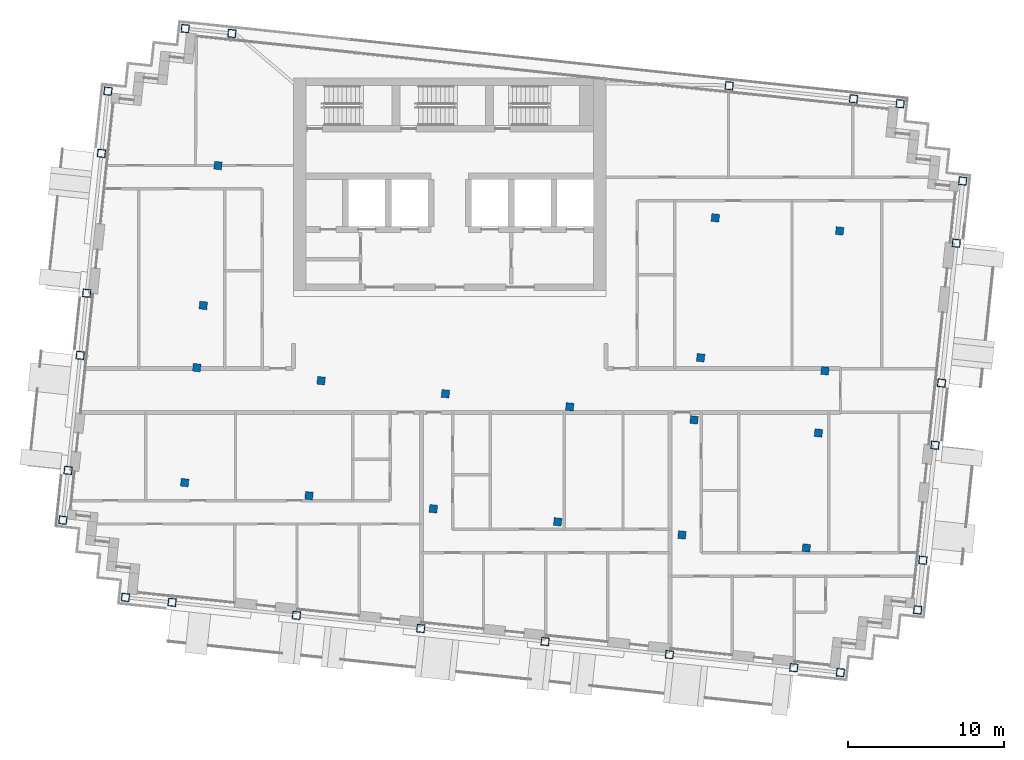
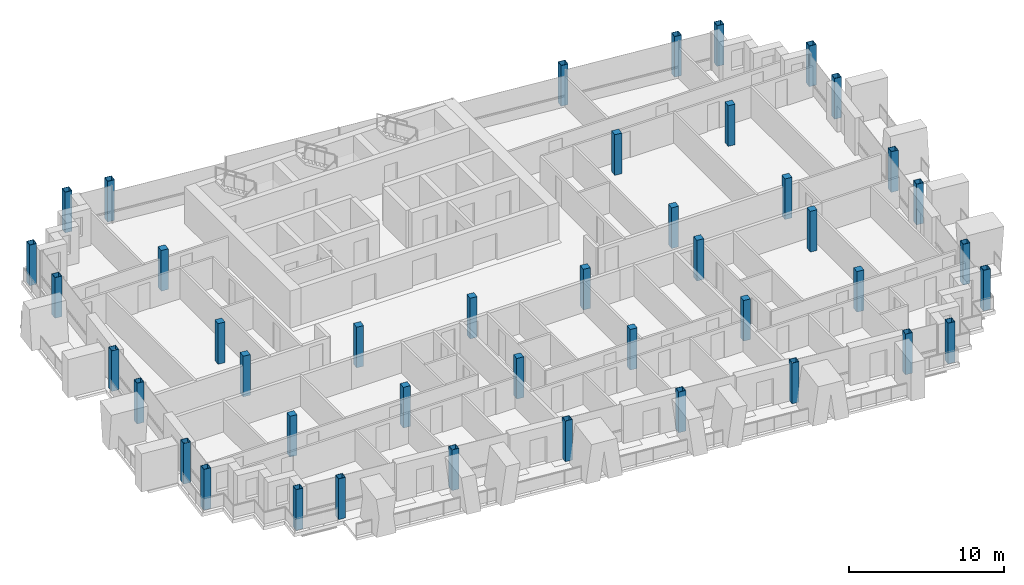
# One storey, part 1 of 17: 43 columns.
"""IFC4 building model written with IfcOpenShell, lengths in metres."""

import ifcopenshell
import ifcopenshell.guid

model = None  # the IFC model being written
_history = None  # IfcOwnerHistory: only IFC2X3 demands one
_inside = {}  # id of a spatial element -> (the spatial element, [elements in it])
_under = {}  # id of a project, library or spatial element -> (it, [spatial elements below it])
_declared = {}  # id of a project -> (the project, [libraries it declares])
_typed = {}  # id of a type object -> (the type object, [elements of that type])
_made_of = {}  # id of a material, layer set ... -> (it, [elements and type objects made of it])


def new_model(schema):
    """Start an empty IFC model of exactly this schema.

    Asked for "IFC4X3", IfcOpenShell would pick the latest addendum, in which some entities
    have other attributes; the version numbers below select the first issue.
    IFC2X3 requires an IfcOwnerHistory on every rooted entity: one is made here for all.
    """
    global model, _history
    if schema == "IFC4X3":
        model = ifcopenshell.file(schema_version=(4, 3, 0, 0))
    else:
        model = ifcopenshell.file(schema=schema)
    _inside.clear()
    _under.clear()
    _declared.clear()
    _typed.clear()
    _made_of.clear()
    _history = None
    if model.schema == "IFC2X3":
        org = make("IfcOrganization", Name="unknown")
        user = make(
            "IfcPersonAndOrganization",
            ThePerson=make("IfcPerson", FamilyName="unknown"),
            TheOrganization=org,
        )
        app = make(
            "IfcApplication",
            ApplicationDeveloper=org,
            Version="unknown",
            ApplicationFullName="unknown",
            ApplicationIdentifier="unknown",
        )
        _history = make(
            "IfcOwnerHistory",
            OwningUser=user,
            OwningApplication=app,
            ChangeAction="ADDED",
            CreationDate=0,
        )
    return model


def make(cls, **values):
    """One entity of the class cls with the attributes given. An attribute that is None is left unset."""
    return model.create_entity(
        cls, **{name: value for name, value in values.items() if value is not None}
    )


def rooted(cls, **values):
    """An entity with a GlobalId (a new one), such as an element, a storey or a relation."""
    return make(cls, GlobalId=ifcopenshell.guid.new(), OwnerHistory=_history, **values)


def si_unit(unit_type, name, prefix=None):
    """IfcSIUnit, for example si_unit("LENGTHUNIT", "METRE", prefix="MILLI")."""
    return make("IfcSIUnit", UnitType=unit_type, Prefix=prefix, Name=name)


def assignment(units):
    """IfcUnitAssignment: the units of a project."""
    return None if units is None else make("IfcUnitAssignment", Units=units)


def point(xyz):
    """IfcCartesianPoint."""
    return None if xyz is None else make("IfcCartesianPoint", Coordinates=xyz)


def direction(xyz):
    """IfcDirection."""
    return None if xyz is None else make("IfcDirection", DirectionRatios=xyz)


def frame(location, z_axis=None, x_axis=None):
    """IfcAxis2Placement3D, a coordinate frame: its origin and axes. An axis left out is left unset."""
    return make(
        "IfcAxis2Placement3D",
        Location=point(location),
        Axis=direction(z_axis),
        RefDirection=direction(x_axis),
    )


def frame_2d(location, x_axis=None):
    """IfcAxis2Placement2D, a coordinate frame in the plane: its origin and x axis."""
    return make(
        "IfcAxis2Placement2D", Location=point(location), RefDirection=direction(x_axis)
    )


def origin():
    """The frame at (0, 0, 0) with its axes left unset."""
    return frame((0.0, 0.0, 0.0))


def origin_2d():
    """The frame at (0, 0) in the plane with its x axis left unset."""
    return frame_2d((0.0, 0.0))


def place(relative_to, where):
    """IfcLocalPlacement: puts the frame where relative to a parent placement (None: the world)."""
    return make(
        "IfcLocalPlacement", PlacementRelTo=relative_to, RelativePlacement=where
    )


def context(
    kind, dimensions, precision=None, world=None, true_north=None, identifier=None
):
    """IfcGeometricRepresentationContext, for example the 3D "Model" context."""
    return make(
        "IfcGeometricRepresentationContext",
        ContextIdentifier=identifier,
        ContextType=kind,
        CoordinateSpaceDimension=dimensions,
        Precision=precision,
        WorldCoordinateSystem=world,
        TrueNorth=true_north,
    )


def subcontext(parent, identifier, kind, view, scale=None):
    """IfcGeometricRepresentationSubContext, for example "Body" below "Model"."""
    return make(
        "IfcGeometricRepresentationSubContext",
        ContextIdentifier=identifier,
        ContextType=kind,
        ParentContext=parent,
        TargetScale=scale,
        TargetView=view,
    )


def project(units=None, contexts=None):
    """IfcProject with its units and contexts."""
    return rooted(
        "IfcProject",
        Name="project",
        RepresentationContexts=contexts,
        UnitsInContext=assignment(units),
    )


def spatial(cls, under=None, at=None, **own):
    """A site, building, storey or space (cls), placed at a placement, below another one or the project."""
    s = rooted(cls, ObjectPlacement=at, **own)
    if under is not None:
        _under.setdefault(under.id(), (under, []))[1].append(s)
    return s


def profile(cls, at=None, kind="AREA", **sizes):
    """A parametric profile (cls). Its sizes go by their IFC names, for example OverallWidth=200.0."""
    return make(cls, ProfileType=kind, Position=at, **sizes)


def rectangle(**sizes):
    """IfcRectangleProfileDef."""
    return profile("IfcRectangleProfileDef", **sizes)


def hollow_rectangle(**sizes):
    """IfcRectangleHollowProfileDef."""
    return profile("IfcRectangleHollowProfileDef", **sizes)


def extrude(swept, where, along, depth):
    """IfcExtrudedAreaSolid: the profile swept, set in the frame where, extruded along a direction by depth."""
    return make(
        "IfcExtrudedAreaSolid",
        SweptArea=swept,
        Position=where,
        ExtrudedDirection=direction(along),
        Depth=depth,
    )


def shape(context_of_items, identifier, shape_type, items):
    """IfcShapeRepresentation: the items that make up one representation, for example the "Body"."""
    return make(
        "IfcShapeRepresentation",
        ContextOfItems=context_of_items,
        RepresentationIdentifier=identifier,
        RepresentationType=shape_type,
        Items=items,
    )


def material(Name=None, Category=None):
    """IfcMaterial."""
    return make("IfcMaterial", Name=Name, Category=Category)


def material_profile(
    of_material, cross_section, Name=None, Category=None, Priority=None
):
    """IfcMaterialProfile: a cross section and its material."""
    return make(
        "IfcMaterialProfile",
        Name=Name,
        Material=of_material,
        Profile=cross_section,
        Priority=Priority,
        Category=Category,
    )


def profile_set(profiles, Name=None, composite=None):
    """IfcMaterialProfileSet."""
    return make(
        "IfcMaterialProfileSet",
        Name=Name,
        MaterialProfiles=profiles,
        CompositeProfile=composite,
    )


def made_of(thing, what):
    """Note that an element or type object is made of a material, layer set ...; save() writes the relation."""
    if what is not None:
        _made_of.setdefault(what.id(), (what, []))[1].append(thing)
    return thing


def type_object(cls, material=None, **own):
    """A type object (cls), such as IfcWallType, which elements share."""
    return made_of(rooted(cls, **own), material)


def element(
    cls,
    number,
    at=None,
    inside=None,
    cuts=None,
    type_object=None,
    material=None,
    context=None,
    identifier="Body",
    shape_type=None,
    held_by="IfcProductDefinitionShape",
    body=None,
    shapes=None,
    **own,
):
    """One element of the class cls, such as IfcWall. Its Tag is "e" and its number.

    at: its placement. inside: the storey or other place that contains it. cuts: it is an
    opening in that element (IfcRelVoidsElement). A single representation is given by context,
    identifier, shape_type and body (its items); several are given by shapes. held_by: the class
    of the entity that holds the representations. save() writes the other relations.
    """
    e = rooted(cls, Tag="e%d" % number, ObjectPlacement=at, **own)
    if body is not None:
        shapes = [shape(context, identifier, shape_type, body)]
    if shapes is not None:
        e.Representation = make(held_by, Representations=shapes)
    if inside is not None:
        _inside.setdefault(inside.id(), (inside, []))[1].append(e)
    if cuts is not None:
        rooted(
            "IfcRelVoidsElement", RelatingBuildingElement=cuts, RelatedOpeningElement=e
        )
    if type_object is not None:
        _typed.setdefault(type_object.id(), (type_object, []))[1].append(e)
    return made_of(e, material)


def aggregate(whole, parts):
    """IfcRelAggregates: a whole, such as a stair, and the parts it consists of."""
    return rooted("IfcRelAggregates", RelatingObject=whole, RelatedObjects=parts)


def save(model, path):
    """Write the relations noted so far, then the file.

    IfcRelAggregates (storeys below a building ...), IfcRelContainedInSpatialStructure (elements
    in a storey), IfcRelDefinesByType, IfcRelAssociatesMaterial and IfcRelDeclares: one each for
    every whole, place, type object, material and project.
    """
    for whole, parts in _under.values():
        aggregate(whole, parts)
    for where, things in _inside.values():
        rooted(
            "IfcRelContainedInSpatialStructure",
            RelatedElements=things,
            RelatingStructure=where,
        )
    for kind, things in _typed.values():
        rooted("IfcRelDefinesByType", RelatedObjects=things, RelatingType=kind)
    for what, things in _made_of.values():
        rooted("IfcRelAssociatesMaterial", RelatedObjects=things, RelatingMaterial=what)
    for by, libraries in _declared.values():
        rooted("IfcRelDeclares", RelatingContext=by, RelatedDefinitions=libraries)
    model.write(path)


model = new_model("IFC4")

# Units and contexts
model_context = context("Model", 3, precision=1e-05, world=origin(), true_north=direction((0.0, 1.0)))
body_context = subcontext(model_context, "Body", "Model", "MODEL_VIEW")
ifc_project = project(units=[si_unit("LENGTHUNIT", "METRE"), si_unit("AREAUNIT", "SQUARE_METRE"), si_unit("VOLUMEUNIT", "CUBIC_METRE"), si_unit("PLANEANGLEUNIT", "RADIAN"), si_unit("MASSUNIT", "GRAM", prefix="KILO")], contexts=[model_context])

# Site, building, storey
site_placement = place(None, origin())
site = spatial("IfcSite", under=ifc_project, at=site_placement, CompositionType="ELEMENT")
building_placement = place(site_placement, origin())
building = spatial("IfcBuilding", under=site, at=building_placement, Name="Vidyagriha Tower", CompositionType="ELEMENT")
storey_placement = place(building_placement, frame((0.0, 0.0, 262.699951171875)))
storey = spatial("IfcBuildingStorey", under=building, at=storey_placement, Name="L68", CompositionType="ELEMENT", Elevation=262.699951171875)

# Columns
ifc_material_1 = material(Name="Steel ASTM A572 Grade 50", Category="steel")
ifc_material_profile_1 = material_profile(ifc_material_1, hollow_rectangle(XDim=0.5, YDim=0.5, WallThickness=0.02490234375, at=origin_2d()), Name="BOX 500x500x25")
ifc_profile_set_1 = profile_set([ifc_material_profile_1], Name="Steel ASTM A572 Grade 50")
column_type_1 = type_object("IfcColumnType", Name="Exoskeleton column BOX 500x500x25", PredefinedType="COLUMN", material=ifc_profile_set_1)
for number, where, z_axis, x_axis, name in (
    (1, (-20.751953125, -13.24267578125, 0.0), (0.0, 0.0, 1.0), (0.994521895368, -0.104528463268, 0.0), "st-col-L68-B6-001"),
    (2, (-17.768310546875, -13.55615234375, 0.0), (0.0, 0.0, 1.0), (0.994521895368, -0.104528463268, 0.0), "st-col-L68-B6-002"),
    (3, (-9.812255859375, -14.392333984375, 0.0), (0.0, 0.0, 1.0), (0.994521895368, -0.104528463268, 0.0), "st-col-L68-B6-003"),
    (4, (-1.856201171875, -15.228515625, 0.0), (0.0, 0.0, 1.0), (0.994521895368, -0.104528463268, 0.0), "st-col-L68-B6-004"),
    (5, (6.10009765625, -16.06494140625, 0.0), (0.0, 0.0, 1.0), (0.994521895368, -0.104528463268, 0.0), "st-col-L68-B6-005"),
    (6, (14.056396484375, -16.901123046875, 0.0), (0.0, 0.0, 1.0), (0.994521895368, -0.104528463268, 0.0), "st-col-L68-B6-006"),
    (7, (22.012451171875, -17.7373046875, 0.0), (0.0, 0.0, 1.0), (0.994521895368, -0.104528463268, 0.0), "st-col-L68-B6-007"),
    (8, (24.99609375, -18.05078125, 0.0), (0.0, 0.0, 1.0), (0.994521895368, -0.104528463268, 0.0), "st-col-L68-B6-008"),
    (9, (-24.757080078125, -8.296875, 0.0), (0.0, 0.0, 1.0), (0.994521895368, -0.104528463268, 0.0), "st-col-L68-B6-009"),
    (10, (29.941650390625, -14.0458984375, 0.0), (0.0, 0.0, 1.0), (0.994521895368, -0.104528463268, 0.0), "st-col-L68-B6-010"),
    (11, (-24.422607421875, -5.114501953125, 0.0), (0.0, 0.0, 1.0), (0.994521895368, -0.104528463268, 0.0), "st-col-L68-B6-011"),
    (12, (30.276123046875, -10.863525390625, 0.0), (0.0, 0.0, 1.0), (0.994521895368, -0.104528463268, 0.0), "st-col-L68-B6-018"),
    (13, (-23.64892578125, 2.2451171875, 0.0), (0.0, 0.0, 1.0), (0.994521895368, -0.104528463268, 0.0), "st-col-L68-B6-019"),
    (14, (31.0498046875, -3.50390625, 0.0), (0.0, 0.0, 1.0), (0.994521895368, -0.104528463268, 0.0), "st-col-L68-B6-026"),
    (15, (-23.23095703125, 6.22314453125, 0.0), (0.0, 0.0, 1.0), (0.994521895368, -0.104528463268, 0.0), "st-col-L68-B6-027"),
    (16, (31.4677734375, 0.47412109375, 0.0), (0.0, 0.0, 1.0), (0.994521895368, -0.104528463268, 0.0), "st-col-L68-B6-031"),
    (17, (-22.2900390625, 15.173828125, 0.0), (0.0, 0.0, 1.0), (0.994521895368, -0.104528463268, 0.0), "st-col-L68-B6-032"),
    (18, (32.40869140625, 9.4248046875, 0.0), (0.0, 0.0, 1.0), (0.994521895368, -0.104528463268, 0.0), "st-col-L68-B6-036"),
    (19, (-21.8720703125, 19.15185546875, 0.0), (0.0, 0.0, 1.0), (0.994521895368, -0.104528463268, 0.0), "st-col-L68-B6-037"),
    (20, (32.82666015625, 13.40283203125, 0.0), (0.0, 0.0, 1.0), (0.994521895368, -0.104528463268, 0.0), "st-col-L68-B6-038"),
    (21, (-16.92626953125, 23.156982421875, 0.0), (0.0, 0.0, 1.0), (0.994521895368, -0.104528463268, 0.0), "st-col-L68-B6-039"),
    (22, (-13.942626953125, 22.84326171875, 0.0), (0.0, 0.0, 1.0), (0.994521895368, -0.104528463268, 0.0), "st-col-L68-B6-040"),
    (23, (17.882080078125, 19.498291015625, 0.0), (0.0, 0.0, 1.0), (0.994521895368, -0.104528463268, 0.0), "st-col-L68-B6-041"),
    (24, (25.838134765625, 18.662109375, 0.0), (0.0, 0.0, 1.0), (0.994521895368, -0.104528463268, 0.0), "st-col-L68-B6-042"),
    (25, (28.82177734375, 18.3486328125, 0.0), (0.0, 0.0, 1.0), (0.994521895368, -0.104528463268, 0.0), "st-col-L68-B6-043"),
):
    element("IfcColumn", number, at=place(storey_placement, frame(where, z_axis=z_axis, x_axis=x_axis)), inside=storey, type_object=column_type_1, Name=name, PredefinedType="COLUMN", context=body_context, shape_type="SweptSolid", body=[
        extrude(hollow_rectangle(XDim=0.5, YDim=0.5, WallThickness=0.02490234375, at=origin_2d()), origin(), (0.0, 0.0, 1.0), 3.199951171875),
    ])
ifc_material_2 = material(Name="Concrete C60/75", Category="concrete")
ifc_material_profile_2 = material_profile(ifc_material_2, rectangle(XDim=0.5, YDim=0.5, at=origin_2d()), Name="RC 500x500")
ifc_profile_set_2 = profile_set([ifc_material_profile_2], Name="Concrete C60/75")
column_type_2 = type_object("IfcColumnType", Name="Frame column RC 500x500", PredefinedType="COLUMN", material=ifc_profile_set_2)
for number, where, z_axis, x_axis, name in (
    (26, (-16.963623046875, -5.8984375, 0.0), (0.0, 0.0, 1.0), (0.994521895368, -0.104528463268, 0.0), "st-col-L68-B6-012"),
    (27, (-9.00732421875, -6.734619140625, 0.0), (0.0, 0.0, 1.0), (0.994521895368, -0.104528463268, 0.0), "st-col-L68-B6-013"),
    (28, (-1.05126953125, -7.57080078125, 0.0), (0.0, 0.0, 1.0), (0.994521895368, -0.104528463268, 0.0), "st-col-L68-B6-014"),
    (29, (6.905029296875, -8.406982421875, 0.0), (0.0, 0.0, 1.0), (0.994521895368, -0.104528463268, 0.0), "st-col-L68-B6-015"),
    (30, (14.861083984375, -9.243408203125, 0.0), (0.0, 0.0, 1.0), (0.994521895368, -0.104528463268, 0.0), "st-col-L68-B6-016"),
    (31, (22.8173828125, -10.07958984375, 0.0), (0.0, 0.0, 1.0), (0.994521895368, -0.104528463268, 0.0), "st-col-L68-B6-017"),
    (32, (-16.190185546875, 1.461181640625, 0.0), (0.0, 0.0, 1.0), (0.994521895368, -0.104528463268, 0.0), "st-col-L68-B6-020"),
    (33, (-8.23388671875, 0.625, 0.0), (0.0, 0.0, 1.0), (0.994521895368, -0.104528463268, 0.0), "st-col-L68-B6-021"),
    (34, (-0.277587890625, -0.21142578125, 0.0), (0.0, 0.0, 1.0), (0.994521895368, -0.104528463268, 0.0), "st-col-L68-B6-022"),
    (35, (7.678466796875, -1.047607421875, 0.0), (0.0, 0.0, 1.0), (0.994521895368, -0.104528463268, 0.0), "st-col-L68-B6-023"),
    (36, (15.634521484375, -1.8837890625, 0.0), (0.0, 0.0, 1.0), (0.994521895368, -0.104528463268, 0.0), "st-col-L68-B6-024"),
    (37, (23.5908203125, -2.72021484375, 0.0), (0.0, 0.0, 1.0), (0.994521895368, -0.104528463268, 0.0), "st-col-L68-B6-025"),
    (38, (-15.77197265625, 5.439208984375, 0.0), (0.0, 0.0, 1.0), (0.994521895368, -0.104528463268, 0.0), "st-col-L68-B6-028"),
    (39, (16.052734375, 2.09423828125, 0.0), (0.0, 0.0, 1.0), (0.994521895368, -0.104528463268, 0.0), "st-col-L68-B6-029"),
    (40, (24.0087890625, 1.258056640625, 0.0), (0.0, 0.0, 1.0), (0.994521895368, -0.104528463268, 0.0), "st-col-L68-B6-030"),
    (41, (-14.831298828125, 14.389892578125, 0.0), (0.0, 0.0, 1.0), (0.994521895368, -0.104528463268, 0.0), "st-col-L68-B6-033"),
    (42, (16.993408203125, 11.044921875, 0.0), (0.0, 0.0, 1.0), (0.994521895368, -0.104528463268, 0.0), "st-col-L68-B6-034"),
    (43, (24.94970703125, 10.208740234375, 0.0), (0.0, 0.0, 1.0), (0.994521895368, -0.104528463268, 0.0), "st-col-L68-B6-035"),
):
    element("IfcColumn", number, at=place(storey_placement, frame(where, z_axis=z_axis, x_axis=x_axis)), inside=storey, type_object=column_type_2, Name=name, PredefinedType="COLUMN", context=body_context, shape_type="SweptSolid", body=[
        extrude(rectangle(XDim=0.5, YDim=0.5, at=origin_2d()), origin(), (0.0, 0.0, 1.0), 3.199951171875),
    ])

save(model, "model.ifc")
